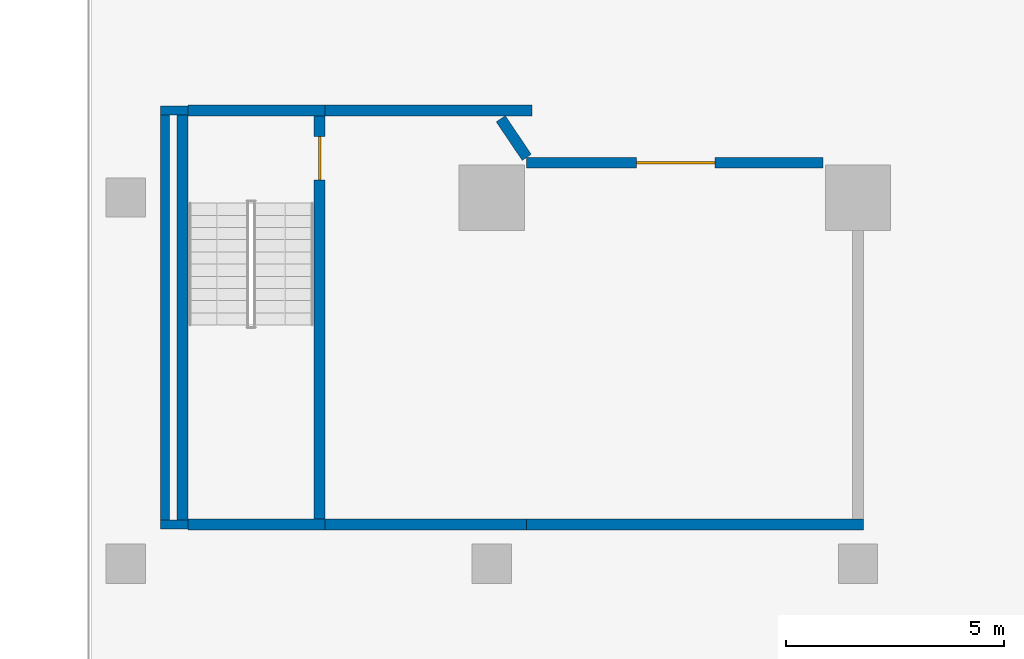
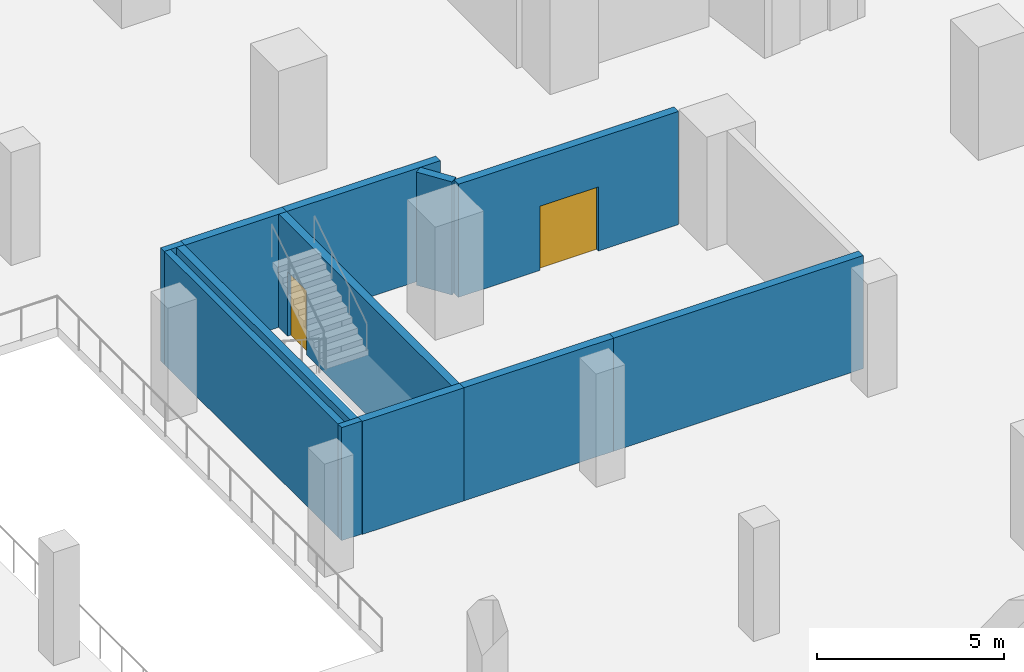
# One storey, part 2 of 18: 12 walls, 2 doors, 2 openings.
"""IFC4 building model written with IfcOpenShell, lengths in metres."""

from ifc_helpers import new_model, si_unit, direction, frame, frame_2d, origin, place, context, subcontext, project, spatial, rectangle, extrude, material, layer, layer_set, type_object, element, fill, save


model = new_model("IFC4")

# Units and contexts
model_context = context("Model", 3, precision=1e-05, world=origin(), true_north=direction((0.0, 1.0)))
body_context = subcontext(model_context, "Body", "Model", "MODEL_VIEW")
ifc_project = project(units=[si_unit("LENGTHUNIT", "METRE"), si_unit("AREAUNIT", "SQUARE_METRE"), si_unit("VOLUMEUNIT", "CUBIC_METRE"), si_unit("PLANEANGLEUNIT", "RADIAN"), si_unit("MASSUNIT", "GRAM", prefix="KILO")], contexts=[model_context])

# Site, building, storey
site_placement = place(None, origin())
site = spatial("IfcSite", under=ifc_project, at=site_placement, CompositionType="ELEMENT")
building_placement = place(site_placement, origin())
building = spatial("IfcBuilding", under=site, at=building_placement, Name="Cantera Rosa Tower", CompositionType="ELEMENT")
storey_placement = place(building_placement, frame((0.0, 0.0, -13.0)))
storey = spatial("IfcBuildingStorey", under=building, at=storey_placement, Name="B3", CompositionType="ELEMENT", Elevation=-13.0)

# Walls
ifc_material_1 = material(Name="Masonry blockwork", Category="masonry")
ifc_layer_1 = layer(ifc_material_1, 0.199951171875)
ifc_layer_set_1 = layer_set([ifc_layer_1], Name="Blockwork partition 200")
wall_type_1 = type_object("IfcWallType", Name="Blockwork partition 200", PredefinedType="PARTITIONING", material=ifc_layer_set_1)
wall_1_placement = place(storey_placement, frame((-32.699951171875, -28.39990234375, 0.0), z_axis=(0.0, 0.0, 1.0), x_axis=(0.0, 1.0, 0.0)))
element("IfcWall", 1, at=wall_1_placement, inside=storey, type_object=wall_type_1, Name="Partition B3-44", PredefinedType="PARTITIONING", context=body_context, shape_type="SweptSolid", body=[
    extrude(rectangle(XDim=9.2998046875, YDim=0.199951171875, at=frame_2d((4.64990234375, 0.0))), origin(), (0.0, 0.0, 1.0), 3.699951171875),
])
for number, where, z_axis, x_axis, name in (
    (2, (-32.800048828125, -19.0, 0.0), (0.0, 0.0, 1.0), (1.0, 0.0, 0.0), "Partition B3-50"),
    (3, (-32.800048828125, -28.5, 0.0), (0.0, 0.0, 1.0), (1.0, 0.0, 0.0), "Partition B3-55"),
):
    element("IfcWall", number, at=place(storey_placement, frame(where, z_axis=z_axis, x_axis=x_axis)), inside=storey, type_object=wall_type_1, Name=name, PredefinedType="PARTITIONING", context=body_context, shape_type="SweptSolid", body=[
        extrude(rectangle(XDim=0.625, YDim=0.199951171875, at=frame_2d((0.3125, 0.0))), origin(), (0.0, 0.0, 1.0), 3.699951171875),
    ])
ifc_material_2 = material(Name="Concrete C50/60", Category="concrete")
ifc_layer_2 = layer(ifc_material_2, 0.25)
ifc_layer_set_2 = layer_set([ifc_layer_2], Name="External stair wall 250")
wall_type_2 = type_object("IfcWallType", Name="External stair wall 250", PredefinedType="SOLIDWALL", material=ifc_layer_set_2)
for number, where, z_axis, x_axis, name in (
    (4, (-32.175048828125, -19.0, 0.0), (0.0, 0.0, 1.0), (1.0, 0.0, 0.0), "Stair wall B3-51"),
    (5, (-29.02490234375, -28.5, 0.0), (0.0, 0.0, 1.0), (-1.0, 0.0, 0.0), "Stair wall B3-56"),
):
    element("IfcWall", number, at=place(storey_placement, frame(where, z_axis=z_axis, x_axis=x_axis)), inside=storey, type_object=wall_type_2, Name=name, PredefinedType="SOLIDWALL", context=body_context, shape_type="SweptSolid", body=[
        extrude(rectangle(XDim=3.150146484375, YDim=0.25, at=frame_2d((1.5751953125, 0.0))), origin(), (0.0, 0.0, 1.0), 3.699951171875),
    ])
ifc_material_3 = material(Name="Masonry blockwork", Category="masonry")
ifc_layer_3 = layer(ifc_material_3, 0.25)
ifc_layer_set_3 = layer_set([ifc_layer_3], Name="Fire-rated external wall 250")
wall_type_3 = type_object("IfcWallType", Name="Fire-rated external wall 250", PredefinedType="PARTITIONING", material=ifc_layer_set_3)
wall_2_placement = place(storey_placement, frame((-29.02490234375, -19.0, 0.0), z_axis=(0.0, 0.0, 1.0), x_axis=(1.0, 0.0, 0.0)))
element("IfcWall", 6, at=wall_2_placement, inside=storey, type_object=wall_type_3, Name="Fire wall B3-52", PredefinedType="PARTITIONING", context=body_context, shape_type="SweptSolid", body=[
    extrude(rectangle(XDim=4.75, YDim=0.25, at=frame_2d((2.375, 0.0))), origin(), (0.0, 0.0, 1.0), 3.699951171875),
])
wall_3_placement = place(storey_placement, frame((-29.02490234375, -28.5, 0.0), z_axis=(0.0, 0.0, 1.0), x_axis=(1.0, 0.0, 0.0)))
element("IfcWall", 7, at=wall_3_placement, inside=storey, type_object=wall_type_3, Name="Fire wall B3-57", PredefinedType="PARTITIONING", context=body_context, shape_type="SweptSolid", body=[
    extrude(rectangle(XDim=4.625, YDim=0.25, at=frame_2d((2.3125, 0.0))), origin(), (0.0, 0.0, 1.0), 3.699951171875),
])
wall_4_placement = place(storey_placement, frame((-24.39990234375, -28.5, 0.0), z_axis=(0.0, 0.0, 1.0), x_axis=(1.0, 0.0, 0.0)))
element("IfcWall", 8, at=wall_4_placement, inside=storey, type_object=wall_type_3, Name="Fire wall B3-58", PredefinedType="PARTITIONING", context=body_context, shape_type="SweptSolid", body=[
    extrude(rectangle(XDim=7.724853515625, YDim=0.25, at=frame_2d((3.8623046875, 0.0))), origin(), (0.0, 0.0, 1.0), 3.699951171875),
])
ifc_material_4 = material(Name="Masonry blockwork", Category="masonry")
ifc_layer_4 = layer(ifc_material_4, 0.25)
ifc_layer_set_4 = layer_set([ifc_layer_4], Name="Fire-rated wall 250")
wall_type_4 = type_object("IfcWallType", Name="Fire-rated wall 250", PredefinedType="PARTITIONING", material=ifc_layer_set_4)
wall_5_placement = place(storey_placement, frame((-24.39990234375, -20.074951171875, 0.0), z_axis=(0.0, 0.0, 1.0), x_axis=(-0.559343029511, 0.828936291483, 0.0)))
element("IfcWall", 9, at=wall_5_placement, inside=storey, type_object=wall_type_4, Name="Fire wall B3-48", PredefinedType="PARTITIONING", context=body_context, shape_type="SweptSolid", body=[
    extrude(rectangle(XDim=1.06591796875, YDim=0.25, at=frame_2d((0.532958984375, 0.0))), origin(), (0.0, 0.0, 1.0), 3.699951171875),
])

# Wall, opening, door
wall_6_placement = place(storey_placement, frame((-24.409912109375, -20.199951171875, 0.0), z_axis=(0.0, 0.0, 1.0), x_axis=(1.0, 0.0, 0.0)))
wall_6 = element("IfcWall", 10, at=wall_6_placement, inside=storey, type_object=wall_type_4, Name="Fire wall B3-62", PredefinedType="PARTITIONING", context=body_context, shape_type="SweptSolid", body=[
    extrude(rectangle(XDim=6.809814453125, YDim=0.25, at=frame_2d((3.40478515625, 0.0))), origin(), (0.0, 0.0, 1.0), 3.699951171875),
])
opening_1_placement = place(wall_6_placement, frame((2.52490234375, 0.0, 0.0)))
opening_1 = element("IfcOpeningElement", 11, at=opening_1_placement, cuts=wall_6, Name="Opening B3-007", PredefinedType="OPENING", context=body_context, shape_type="SweptSolid", body=[
    extrude(rectangle(XDim=1.800048828125, YDim=2.10009765625, at=frame_2d((0.89990234375, 1.050048828125))), frame((0.0, 0.135009765625, 0.0), z_axis=(0.0, -1.0, 0.0), x_axis=(1.0, 0.0, 0.0)), (0.0, 0.0, 1.0), 0.27001953125),
])
ifc_material_5 = material(Name="Steel S355J2 (EN 10025-2)", Category="steel")
door_type_1 = type_object("IfcDoorType", Name="Fire double door 1800x2100", OperationType="NOTDEFINED", PredefinedType="DOOR", material=ifc_material_5)
door_1_placement = place(opening_1_placement, origin())
door_1 = element("IfcDoor", 12, at=door_1_placement, inside=storey, type_object=door_type_1, Name="Door B3-007", OperationType="DOUBLE_DOOR_SINGLE_SWING", OverallHeight=2.10009765625, OverallWidth=1.800048828125, PredefinedType="DOOR", context=body_context, shape_type="SweptSolid", body=[
    extrude(rectangle(XDim=1.800048828125, YDim=2.10009765625, at=frame_2d((0.89990234375, 1.050048828125))), frame((0.0, 0.02490234375, 0.0), z_axis=(0.0, -1.0, 0.0), x_axis=(1.0, 0.0, 0.0)), (0.0, 0.0, 1.0), 0.050048828125),
])
fill(opening_1, door_1)

ifc_material_6 = material(Name="Concrete C50/60", Category="concrete")
ifc_layer_5 = layer(ifc_material_6, 0.25)
ifc_layer_set_5 = layer_set([ifc_layer_5], Name="RC stair wall 250 C50/60")
wall_type_5 = type_object("IfcWallType", Name="RC stair wall 250", PredefinedType="SOLIDWALL", material=ifc_layer_set_5)
wall_7_placement = place(storey_placement, frame((-29.14990234375, -28.375, 0.0), z_axis=(0.0, 0.0, 1.0), x_axis=(0.0, 1.0, 0.0)))
wall_7 = element("IfcWall", 13, at=wall_7_placement, inside=storey, type_object=wall_type_5, Name="Stair wall B3-40", PredefinedType="SOLIDWALL", context=body_context, shape_type="SweptSolid", body=[
    extrude(rectangle(XDim=9.25, YDim=0.25, at=frame_2d((4.625, 0.0))), origin(), (0.0, 0.0, 1.0), 3.699951171875),
])
opening_2_placement = place(wall_7_placement, frame((7.77490234375, 0.0, 0.0)))
opening_2 = element("IfcOpeningElement", 14, at=opening_2_placement, cuts=wall_7, Name="Opening B3-008", PredefinedType="OPENING", context=body_context, shape_type="SweptSolid", body=[
    extrude(rectangle(XDim=1.0, YDim=2.10009765625, at=frame_2d((0.5, 1.050048828125))), frame((0.0, 0.135009765625, 0.0), z_axis=(0.0, -1.0, 0.0), x_axis=(1.0, 0.0, 0.0)), (0.0, 0.0, 1.0), 0.27001953125),
])
ifc_material_7 = material(Name="Steel S355J2 (EN 10025-2)", Category="steel")
door_type_2 = type_object("IfcDoorType", Name="Fire door 1000x2100 EI 120", OperationType="NOTDEFINED", PredefinedType="DOOR", material=ifc_material_7)
door_2_placement = place(opening_2_placement, origin())
door_2 = element("IfcDoor", 15, at=door_2_placement, inside=storey, type_object=door_type_2, Name="Door B3-008", OverallHeight=2.10009765625, OverallWidth=1.0, PredefinedType="DOOR", context=body_context, shape_type="SweptSolid", body=[
    extrude(rectangle(XDim=1.0, YDim=2.10009765625, at=frame_2d((0.5, 1.050048828125))), frame((0.0, 0.02490234375, 0.0), z_axis=(0.0, -1.0, 0.0), x_axis=(1.0, 0.0, 0.0)), (0.0, 0.0, 1.0), 0.050048828125),
])
fill(opening_2, door_2)

# Wall
wall_8_placement = place(storey_placement, frame((-32.300048828125, -28.39990234375, 0.0), z_axis=(0.0, 0.0, 1.0), x_axis=(0.0, 1.0, 0.0)))
element("IfcWall", 16, at=wall_8_placement, inside=storey, type_object=wall_type_5, Name="Stair wall B3-42", PredefinedType="SOLIDWALL", context=body_context, shape_type="SweptSolid", body=[
    extrude(rectangle(XDim=9.2998046875, YDim=0.25, at=frame_2d((4.64990234375, 0.0))), origin(), (0.0, 0.0, 1.0), 3.699951171875),
])

save(model, "model.ifc")
